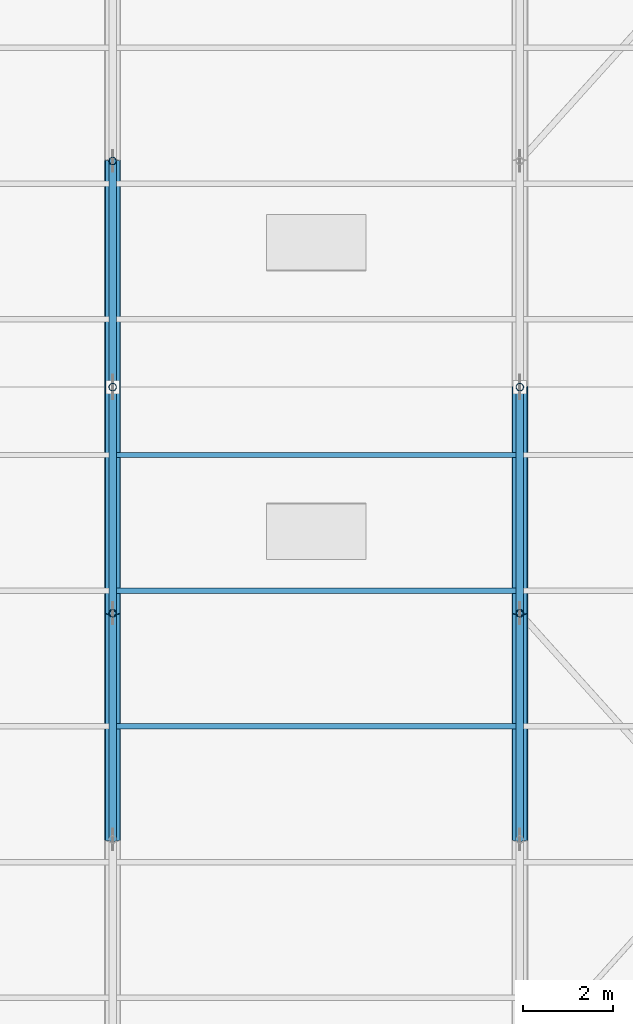
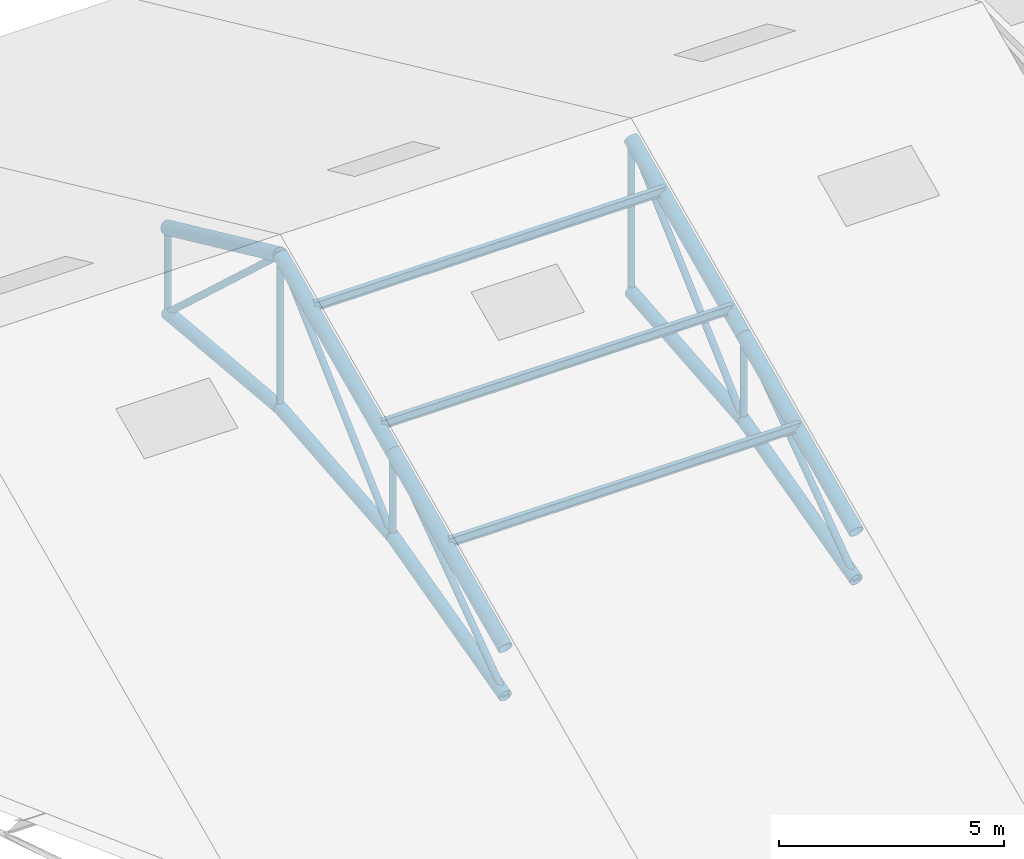
# One storey, part 35 of 107: 23 members.
"""IFC4 building model written with IfcOpenShell, lengths in metres."""

import ifcopenshell
import ifcopenshell.guid

model = None  # the IFC model being written
_history = None  # IfcOwnerHistory: only IFC2X3 demands one
_inside = {}  # id of a spatial element -> (the spatial element, [elements in it])
_under = {}  # id of a project, library or spatial element -> (it, [spatial elements below it])
_declared = {}  # id of a project -> (the project, [libraries it declares])
_typed = {}  # id of a type object -> (the type object, [elements of that type])
_made_of = {}  # id of a material, layer set ... -> (it, [elements and type objects made of it])


def new_model(schema):
    """Start an empty IFC model of exactly this schema.

    Asked for "IFC4X3", IfcOpenShell would pick the latest addendum, in which some entities
    have other attributes; the version numbers below select the first issue.
    IFC2X3 requires an IfcOwnerHistory on every rooted entity: one is made here for all.
    """
    global model, _history
    if schema == "IFC4X3":
        model = ifcopenshell.file(schema_version=(4, 3, 0, 0))
    else:
        model = ifcopenshell.file(schema=schema)
    _inside.clear()
    _under.clear()
    _declared.clear()
    _typed.clear()
    _made_of.clear()
    _history = None
    if model.schema == "IFC2X3":
        org = make("IfcOrganization", Name="unknown")
        user = make(
            "IfcPersonAndOrganization",
            ThePerson=make("IfcPerson", FamilyName="unknown"),
            TheOrganization=org,
        )
        app = make(
            "IfcApplication",
            ApplicationDeveloper=org,
            Version="unknown",
            ApplicationFullName="unknown",
            ApplicationIdentifier="unknown",
        )
        _history = make(
            "IfcOwnerHistory",
            OwningUser=user,
            OwningApplication=app,
            ChangeAction="ADDED",
            CreationDate=0,
        )
    return model


def make(cls, **values):
    """One entity of the class cls with the attributes given. An attribute that is None is left unset."""
    return model.create_entity(
        cls, **{name: value for name, value in values.items() if value is not None}
    )


def rooted(cls, **values):
    """An entity with a GlobalId (a new one), such as an element, a storey or a relation."""
    return make(cls, GlobalId=ifcopenshell.guid.new(), OwnerHistory=_history, **values)


def si_unit(unit_type, name, prefix=None):
    """IfcSIUnit, for example si_unit("LENGTHUNIT", "METRE", prefix="MILLI")."""
    return make("IfcSIUnit", UnitType=unit_type, Prefix=prefix, Name=name)


def derived_unit(unit_type, elements):
    """IfcDerivedUnit: a product of units, each with its exponent."""
    return make(
        "IfcDerivedUnit",
        Elements=[
            make("IfcDerivedUnitElement", Unit=unit, Exponent=power)
            for unit, power in elements
        ],
        UnitType=unit_type,
    )


def assignment(units):
    """IfcUnitAssignment: the units of a project."""
    return None if units is None else make("IfcUnitAssignment", Units=units)


def point(xyz):
    """IfcCartesianPoint."""
    return None if xyz is None else make("IfcCartesianPoint", Coordinates=xyz)


def direction(xyz):
    """IfcDirection."""
    return None if xyz is None else make("IfcDirection", DirectionRatios=xyz)


def frame(location, z_axis=None, x_axis=None):
    """IfcAxis2Placement3D, a coordinate frame: its origin and axes. An axis left out is left unset."""
    return make(
        "IfcAxis2Placement3D",
        Location=point(location),
        Axis=direction(z_axis),
        RefDirection=direction(x_axis),
    )


def frame_2d(location, x_axis=None):
    """IfcAxis2Placement2D, a coordinate frame in the plane: its origin and x axis."""
    return make(
        "IfcAxis2Placement2D", Location=point(location), RefDirection=direction(x_axis)
    )


def origin():
    """The frame at (0, 0, 0) with its axes left unset."""
    return frame((0.0, 0.0, 0.0))


def origin_2d():
    """The frame at (0, 0) in the plane with its x axis left unset."""
    return frame_2d((0.0, 0.0))


def place(relative_to, where):
    """IfcLocalPlacement: puts the frame where relative to a parent placement (None: the world)."""
    return make(
        "IfcLocalPlacement", PlacementRelTo=relative_to, RelativePlacement=where
    )


def context(
    kind, dimensions, precision=None, world=None, true_north=None, identifier=None
):
    """IfcGeometricRepresentationContext, for example the 3D "Model" context."""
    return make(
        "IfcGeometricRepresentationContext",
        ContextIdentifier=identifier,
        ContextType=kind,
        CoordinateSpaceDimension=dimensions,
        Precision=precision,
        WorldCoordinateSystem=world,
        TrueNorth=true_north,
    )


def subcontext(parent, identifier, kind, view, scale=None):
    """IfcGeometricRepresentationSubContext, for example "Body" below "Model"."""
    return make(
        "IfcGeometricRepresentationSubContext",
        ContextIdentifier=identifier,
        ContextType=kind,
        ParentContext=parent,
        TargetScale=scale,
        TargetView=view,
    )


def project(units=None, contexts=None):
    """IfcProject with its units and contexts."""
    return rooted(
        "IfcProject",
        Name="project",
        RepresentationContexts=contexts,
        UnitsInContext=assignment(units),
    )


def spatial(cls, under=None, at=None, **own):
    """A site, building, storey or space (cls), placed at a placement, below another one or the project."""
    s = rooted(cls, ObjectPlacement=at, **own)
    if under is not None:
        _under.setdefault(under.id(), (under, []))[1].append(s)
    return s


def profile(cls, at=None, kind="AREA", **sizes):
    """A parametric profile (cls). Its sizes go by their IFC names, for example OverallWidth=200.0."""
    return make(cls, ProfileType=kind, Position=at, **sizes)


def hollow_circle(**sizes):
    """IfcCircleHollowProfileDef."""
    return profile("IfcCircleHollowProfileDef", **sizes)


def i_section(**sizes):
    """IfcIShapeProfileDef."""
    return profile("IfcIShapeProfileDef", **sizes)


def extrude(swept, where, along, depth):
    """IfcExtrudedAreaSolid: the profile swept, set in the frame where, extruded along a direction by depth."""
    return make(
        "IfcExtrudedAreaSolid",
        SweptArea=swept,
        Position=where,
        ExtrudedDirection=direction(along),
        Depth=depth,
    )


def shape(context_of_items, identifier, shape_type, items):
    """IfcShapeRepresentation: the items that make up one representation, for example the "Body"."""
    return make(
        "IfcShapeRepresentation",
        ContextOfItems=context_of_items,
        RepresentationIdentifier=identifier,
        RepresentationType=shape_type,
        Items=items,
    )


def material(Name=None, Category=None):
    """IfcMaterial."""
    return make("IfcMaterial", Name=Name, Category=Category)


def material_profile(
    of_material, cross_section, Name=None, Category=None, Priority=None
):
    """IfcMaterialProfile: a cross section and its material."""
    return make(
        "IfcMaterialProfile",
        Name=Name,
        Material=of_material,
        Profile=cross_section,
        Priority=Priority,
        Category=Category,
    )


def profile_set(profiles, Name=None, composite=None):
    """IfcMaterialProfileSet."""
    return make(
        "IfcMaterialProfileSet",
        Name=Name,
        MaterialProfiles=profiles,
        CompositeProfile=composite,
    )


def made_of(thing, what):
    """Note that an element or type object is made of a material, layer set ...; save() writes the relation."""
    if what is not None:
        _made_of.setdefault(what.id(), (what, []))[1].append(thing)
    return thing


def type_object(cls, material=None, **own):
    """A type object (cls), such as IfcWallType, which elements share."""
    return made_of(rooted(cls, **own), material)


def element(
    cls,
    number,
    at=None,
    inside=None,
    cuts=None,
    type_object=None,
    material=None,
    context=None,
    identifier="Body",
    shape_type=None,
    held_by="IfcProductDefinitionShape",
    body=None,
    shapes=None,
    **own,
):
    """One element of the class cls, such as IfcWall. Its Tag is "e" and its number.

    at: its placement. inside: the storey or other place that contains it. cuts: it is an
    opening in that element (IfcRelVoidsElement). A single representation is given by context,
    identifier, shape_type and body (its items); several are given by shapes. held_by: the class
    of the entity that holds the representations. save() writes the other relations.
    """
    e = rooted(cls, Tag="e%d" % number, ObjectPlacement=at, **own)
    if body is not None:
        shapes = [shape(context, identifier, shape_type, body)]
    if shapes is not None:
        e.Representation = make(held_by, Representations=shapes)
    if inside is not None:
        _inside.setdefault(inside.id(), (inside, []))[1].append(e)
    if cuts is not None:
        rooted(
            "IfcRelVoidsElement", RelatingBuildingElement=cuts, RelatedOpeningElement=e
        )
    if type_object is not None:
        _typed.setdefault(type_object.id(), (type_object, []))[1].append(e)
    return made_of(e, material)


def aggregate(whole, parts):
    """IfcRelAggregates: a whole, such as a stair, and the parts it consists of."""
    return rooted("IfcRelAggregates", RelatingObject=whole, RelatedObjects=parts)


def save(model, path):
    """Write the relations noted so far, then the file.

    IfcRelAggregates (storeys below a building ...), IfcRelContainedInSpatialStructure (elements
    in a storey), IfcRelDefinesByType, IfcRelAssociatesMaterial and IfcRelDeclares: one each for
    every whole, place, type object, material and project.
    """
    for whole, parts in _under.values():
        aggregate(whole, parts)
    for where, things in _inside.values():
        rooted(
            "IfcRelContainedInSpatialStructure",
            RelatedElements=things,
            RelatingStructure=where,
        )
    for kind, things in _typed.values():
        rooted("IfcRelDefinesByType", RelatedObjects=things, RelatingType=kind)
    for what, things in _made_of.values():
        rooted("IfcRelAssociatesMaterial", RelatedObjects=things, RelatingMaterial=what)
    for by, libraries in _declared.values():
        rooted("IfcRelDeclares", RelatingContext=by, RelatedDefinitions=libraries)
    model.write(path)


model = new_model("IFC4")

# Units and contexts
model_context = context("Model", 3, precision=1e-05, world=origin(), true_north=direction((0.0, 1.0)))
body_context = subcontext(model_context, "Body", "Model", "MODEL_VIEW")
ifc_project = project(units=[si_unit("LENGTHUNIT", "METRE"), si_unit("AREAUNIT", "SQUARE_METRE"), si_unit("VOLUMEUNIT", "CUBIC_METRE"), si_unit("PLANEANGLEUNIT", "RADIAN"), si_unit("MASSUNIT", "GRAM", prefix="KILO"), si_unit("THERMODYNAMICTEMPERATUREUNIT", "KELVIN"), si_unit("TIMEUNIT", "SECOND"), derived_unit("THERMALTRANSMITTANCEUNIT", [(si_unit("MASSUNIT", "GRAM", prefix="KILO"), 1), (si_unit("THERMODYNAMICTEMPERATUREUNIT", "KELVIN"), -1), (si_unit("TIMEUNIT", "SECOND"), -3)])], contexts=[model_context])

# Site, building, storey
site_placement = place(None, origin())
site = spatial("IfcSite", under=ifc_project, at=site_placement, CompositionType="ELEMENT")
building_placement = place(site_placement, origin())
building = spatial("IfcBuilding", under=site, at=building_placement, Name="Cambertide Market Hall", CompositionType="ELEMENT")
storey_placement = place(building_placement, frame((0.0, 0.0, 18.300048828125)))
storey = spatial("IfcBuildingStorey", under=building, at=storey_placement, Name="RF", CompositionType="ELEMENT", Elevation=18.300048828125)

# Members
ifc_material_1 = material(Name="Steel S355", Category="steel")
ifc_material_profile_1 = material_profile(ifc_material_1, hollow_circle(Radius=0.161865234375, WallThickness=0.010009765625, at=origin_2d()), Name="CHS 323.9x10")
ifc_profile_set_1 = profile_set([ifc_material_profile_1], Name="Steel S355")
member_type_1 = type_object("IfcMemberType", Name="Arched Truss Chord CHS 323.9x10", PredefinedType="CHORD", material=ifc_profile_set_1)
member_1_placement = place(storey_placement, frame((87.0, 62.0, -6.251220703125), z_axis=(0.0, 0.968015607618, 0.250889982678), x_axis=(-1.0, 0.0, 0.0)))
element("IfcMember", 1, at=member_1_placement, inside=storey, type_object=member_type_1, Name="Roof Truss 6 Arched Bottom Chord 3", PredefinedType="CHORD", context=body_context, shape_type="SweptSolid", body=[
    extrude(hollow_circle(Radius=0.161865234375, WallThickness=0.010009765625, at=origin_2d()), origin(), (0.0, 0.0, 1.0), 5.165283203125),
])
for number, where, z_axis, x_axis, name in (
    (2, (87.0, 67.0, -4.955322265625), (0.0, 0.9958792443, 0.090689198761), (-1.0, 0.0, 0.0), "Roof Truss 6 Arched Bottom Chord 4"),
    (3, (87.0, 72.0, -4.5), (0.0, 0.9958792443, -0.090689198761), (-1.0, 0.0, 0.0), "Roof Truss 6 Arched Bottom Chord 5"),
):
    element("IfcMember", number, at=place(storey_placement, frame(where, z_axis=z_axis, x_axis=x_axis)), inside=storey, type_object=member_type_1, Name=name, PredefinedType="CHORD", context=body_context, shape_type="SweptSolid", body=[
        extrude(hollow_circle(Radius=0.161865234375, WallThickness=0.010009765625, at=origin_2d()), origin(), (0.0, 0.0, 1.0), 5.020751953125),
    ])
member_2_placement = place(storey_placement, frame((96.0, 62.0, -6.251220703125), z_axis=(0.0, 0.968015607618, 0.250889982678), x_axis=(-1.0, 0.0, 0.0)))
element("IfcMember", 4, at=member_2_placement, inside=storey, type_object=member_type_1, Name="Roof Truss 7 Arched Bottom Chord 3", PredefinedType="CHORD", context=body_context, shape_type="SweptSolid", body=[
    extrude(hollow_circle(Radius=0.161865234375, WallThickness=0.010009765625, at=origin_2d()), origin(), (0.0, 0.0, 1.0), 5.165283203125),
])
member_3_placement = place(storey_placement, frame((96.0, 67.0, -4.955322265625), z_axis=(0.0, 0.9958792443, 0.090689198761), x_axis=(-1.0, 0.0, 0.0)))
element("IfcMember", 5, at=member_3_placement, inside=storey, type_object=member_type_1, Name="Roof Truss 7 Arched Bottom Chord 4", PredefinedType="CHORD", context=body_context, shape_type="SweptSolid", body=[
    extrude(hollow_circle(Radius=0.161865234375, WallThickness=0.010009765625, at=origin_2d()), origin(), (0.0, 0.0, 1.0), 5.020751953125),
])
ifc_material_2 = material(Name="Steel S355", Category="steel")
ifc_material_profile_2 = material_profile(ifc_material_2, hollow_circle(Radius=0.177734375, WallThickness=0.012451171875, at=origin_2d()), Name="CHS 355.6x12.5")
ifc_profile_set_2 = profile_set([ifc_material_profile_2], Name="Steel S355")
member_type_2 = type_object("IfcMemberType", Name="Arched Truss Chord CHS 355.6x12.5", PredefinedType="CHORD", material=ifc_profile_set_2)
for number, where, z_axis, x_axis, name in (
    (6, (87.0, 62.0, -4.949951171875), (0.0, 0.908503925861, 0.417876317461), (-1.0, 0.0, 0.0), "Roof Truss 6 Top Chord 3"),
    (7, (87.0, 67.0, -2.650146484375), (0.0, 0.908487084298, 0.417912930721), (-1.0, 0.0, 0.0), "Roof Truss 6 Top Chord 4"),
    (8, (87.0, 72.0, -0.35009765625), (0.0, 0.908487084298, -0.417912930721), (-1.0, 0.0, 0.0), "Roof Truss 6 Top Chord 5"),
    (9, (96.0, 62.0, -4.949951171875), (0.0, 0.908503925861, 0.417876317461), (-1.0, 0.0, 0.0), "Roof Truss 7 Top Chord 3"),
    (10, (96.0, 67.0, -2.650146484375), (0.0, 0.908487084298, 0.417912930721), (-1.0, 0.0, 0.0), "Roof Truss 7 Top Chord 4"),
):
    element("IfcMember", number, at=place(storey_placement, frame(where, z_axis=z_axis, x_axis=x_axis)), inside=storey, type_object=member_type_2, Name=name, PredefinedType="CHORD", context=body_context, shape_type="SweptSolid", body=[
        extrude(hollow_circle(Radius=0.177734375, WallThickness=0.012451171875, at=origin_2d()), origin(), (0.0, 0.0, 1.0), 5.503662109375),
    ])
ifc_material_3 = material(Name="Steel S275", Category="steel")
ifc_material_profile_3 = material_profile(ifc_material_3, i_section(OverallWidth=0.1201171875, OverallDepth=0.239990234375, WebThickness=0.006103515625, FlangeThickness=0.009765625, FilletRadius=0.014892578125, at=origin_2d()), Name="IPE 240")
ifc_profile_set_3 = profile_set([ifc_material_profile_3], Name="Steel S275")
member_type_3 = type_object("IfcMemberType", Name="Roof Purlin IPE 240", PredefinedType="PURLIN", material=ifc_profile_set_3)
for number, where, z_axis, x_axis, name in (
    (11, (87.0, 64.5, -3.590087890625), (1.0, 0.0, 0.0), (0.0, 1.0, 0.0), "Barrel Roof Purlin 6-06"),
    (12, (87.0, 67.5, -2.2099609375), (1.0, 0.0, 0.0), (0.0, 1.0, 0.0), "Barrel Roof Purlin 6-07"),
    (13, (87.0, 70.5, -0.830078125), (1.0, 0.0, 0.0), (0.0, 1.0, 0.0), "Barrel Roof Purlin 6-08"),
):
    element("IfcMember", number, at=place(storey_placement, frame(where, z_axis=z_axis, x_axis=x_axis)), inside=storey, type_object=member_type_3, Name=name, PredefinedType="PURLIN", context=body_context, shape_type="SweptSolid", body=[
        extrude(i_section(OverallWidth=0.1201171875, OverallDepth=0.239990234375, WebThickness=0.006103515625, FlangeThickness=0.009765625, FilletRadius=0.014892578125, at=origin_2d()), origin(), (0.0, 0.0, 1.0), 9.0),
    ])
ifc_material_4 = material(Name="Steel S355", Category="steel")
ifc_material_profile_4 = material_profile(ifc_material_4, hollow_circle(Radius=0.084228515625, WallThickness=0.00634765625, at=origin_2d()), Name="CHS 168.3x6.3")
ifc_profile_set_4 = profile_set([ifc_material_profile_4], Name="Steel S355")
member_type_4 = type_object("IfcMemberType", Name="Structural Brace CHS 168.3x6.3", PredefinedType="BRACE", material=ifc_profile_set_4)
member_4_placement = place(storey_placement, frame((87.0, 62.0, -6.251220703125), z_axis=(0.0, 0.811451666424, 0.584419535144), x_axis=(-1.0, 0.0, 0.0)))
element("IfcMember", 14, at=member_4_placement, inside=storey, type_object=member_type_4, Name="Roof Truss 6 Web Diagonal 3", PredefinedType="BRACE", context=body_context, shape_type="SweptSolid", body=[
    extrude(hollow_circle(Radius=0.084228515625, WallThickness=0.00634765625, at=origin_2d()), origin(), (0.0, 0.0, 1.0), 6.161865234375),
])
for number, where, z_axis, x_axis, name in (
    (15, (87.0, 67.0, -4.955322265625), (0.0, 0.73554793102, 0.677472686662), (-1.0, 0.0, 0.0), "Roof Truss 6 Web Diagonal 4"),
    (16, (87.0, 72.0, -0.35009765625), (0.0, 0.73554793102, -0.677472686662), (-1.0, 0.0, 0.0), "Roof Truss 6 Web Diagonal 5"),
):
    element("IfcMember", number, at=place(storey_placement, frame(where, z_axis=z_axis, x_axis=x_axis)), inside=storey, type_object=member_type_4, Name=name, PredefinedType="BRACE", context=body_context, shape_type="SweptSolid", body=[
        extrude(hollow_circle(Radius=0.084228515625, WallThickness=0.00634765625, at=origin_2d()), origin(), (0.0, 0.0, 1.0), 6.797607421875),
    ])
member_5_placement = place(storey_placement, frame((87.0, 67.0, -4.955322265625), z_axis=(0.0, 0.0, 1.0), x_axis=(1.0, 0.0, 0.0)))
element("IfcMember", 17, at=member_5_placement, inside=storey, type_object=member_type_4, Name="Roof Truss 6 Web Post 4", PredefinedType="BRACE", context=body_context, shape_type="SweptSolid", body=[
    extrude(hollow_circle(Radius=0.084228515625, WallThickness=0.00634765625, at=origin_2d()), origin(), (0.0, 0.0, 1.0), 2.30517578125),
])
member_6_placement = place(storey_placement, frame((87.0, 72.0, -4.5), z_axis=(0.0, 0.0, 1.0), x_axis=(1.0, 0.0, 0.0)))
element("IfcMember", 18, at=member_6_placement, inside=storey, type_object=member_type_4, Name="Roof Truss 6 Web Post 5", PredefinedType="BRACE", context=body_context, shape_type="SweptSolid", body=[
    extrude(hollow_circle(Radius=0.084228515625, WallThickness=0.00634765625, at=origin_2d()), origin(), (0.0, 0.0, 1.0), 4.14990234375),
])
member_7_placement = place(storey_placement, frame((87.0, 77.0, -4.955322265625), z_axis=(0.0, 0.0, 1.0), x_axis=(1.0, 0.0, 0.0)))
element("IfcMember", 19, at=member_7_placement, inside=storey, type_object=member_type_4, Name="Roof Truss 6 Web Post 6", PredefinedType="BRACE", context=body_context, shape_type="SweptSolid", body=[
    extrude(hollow_circle(Radius=0.084228515625, WallThickness=0.00634765625, at=origin_2d()), origin(), (0.0, 0.0, 1.0), 2.30517578125),
])
member_8_placement = place(storey_placement, frame((96.0, 62.0, -6.251220703125), z_axis=(0.0, 0.811451666424, 0.584419535144), x_axis=(-1.0, 0.0, 0.0)))
element("IfcMember", 20, at=member_8_placement, inside=storey, type_object=member_type_4, Name="Roof Truss 7 Web Diagonal 3", PredefinedType="BRACE", context=body_context, shape_type="SweptSolid", body=[
    extrude(hollow_circle(Radius=0.084228515625, WallThickness=0.00634765625, at=origin_2d()), origin(), (0.0, 0.0, 1.0), 6.161865234375),
])
member_9_placement = place(storey_placement, frame((96.0, 67.0, -4.955322265625), z_axis=(0.0, 0.73554793102, 0.677472686662), x_axis=(-1.0, 0.0, 0.0)))
element("IfcMember", 21, at=member_9_placement, inside=storey, type_object=member_type_4, Name="Roof Truss 7 Web Diagonal 4", PredefinedType="BRACE", context=body_context, shape_type="SweptSolid", body=[
    extrude(hollow_circle(Radius=0.084228515625, WallThickness=0.00634765625, at=origin_2d()), origin(), (0.0, 0.0, 1.0), 6.797607421875),
])
member_10_placement = place(storey_placement, frame((96.0, 67.0, -4.955322265625), z_axis=(0.0, 0.0, 1.0), x_axis=(1.0, 0.0, 0.0)))
element("IfcMember", 22, at=member_10_placement, inside=storey, type_object=member_type_4, Name="Roof Truss 7 Web Post 4", PredefinedType="BRACE", context=body_context, shape_type="SweptSolid", body=[
    extrude(hollow_circle(Radius=0.084228515625, WallThickness=0.00634765625, at=origin_2d()), origin(), (0.0, 0.0, 1.0), 2.30517578125),
])
member_11_placement = place(storey_placement, frame((96.0, 72.0, -4.5), z_axis=(0.0, 0.0, 1.0), x_axis=(1.0, 0.0, 0.0)))
element("IfcMember", 23, at=member_11_placement, inside=storey, type_object=member_type_4, Name="Roof Truss 7 Web Post 5", PredefinedType="BRACE", context=body_context, shape_type="SweptSolid", body=[
    extrude(hollow_circle(Radius=0.084228515625, WallThickness=0.00634765625, at=origin_2d()), origin(), (0.0, 0.0, 1.0), 4.14990234375),
])

save(model, "model.ifc")
